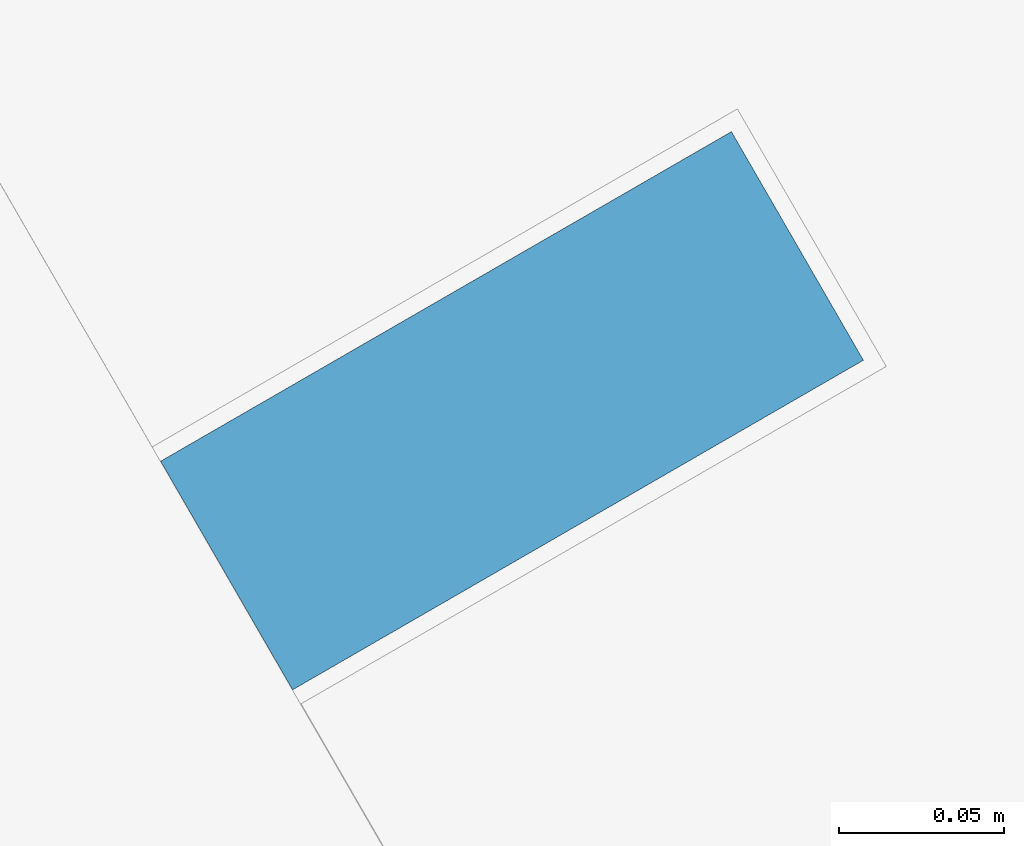
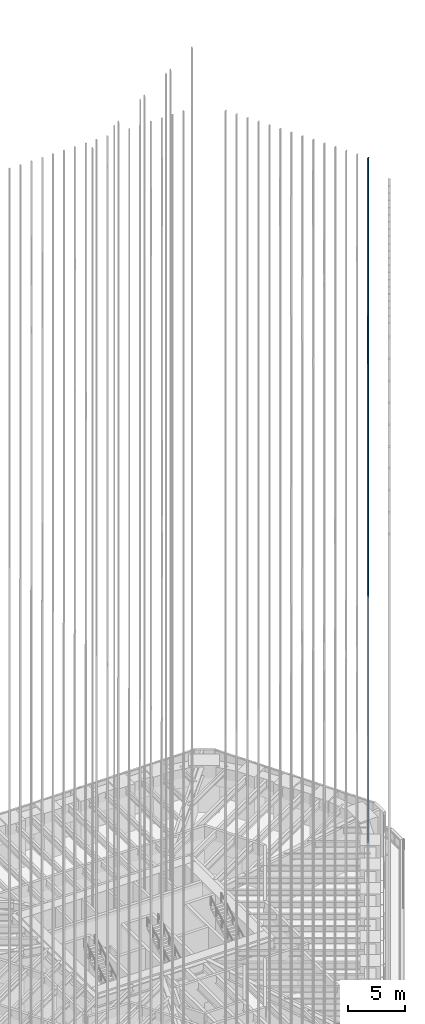
# One storey, part 178 of 228: 1 member, 1 element without a shape of its own.
"""IFC4 building model written with IfcOpenShell, lengths in metres."""

from ifc_helpers import new_model, si_unit, direction, frame, origin, origin_2d, place, context, subcontext, project, spatial, rectangle, extrude, material, material_profile, profile_set, type_object, element, aggregate, save


model = new_model("IFC4")

# Units and contexts
model_context = context("Model", 3, precision=1e-05, world=origin(), true_north=direction((0.0, 1.0)))
body_context = subcontext(model_context, "Body", "Model", "MODEL_VIEW")
ifc_project = project(units=[si_unit("LENGTHUNIT", "METRE"), si_unit("AREAUNIT", "SQUARE_METRE"), si_unit("VOLUMEUNIT", "CUBIC_METRE"), si_unit("PLANEANGLEUNIT", "RADIAN"), si_unit("MASSUNIT", "GRAM", prefix="KILO")], contexts=[model_context])

# Site, building, storey
site_placement = place(None, origin())
site = spatial("IfcSite", under=ifc_project, at=site_placement, CompositionType="ELEMENT")
building_placement = place(site_placement, origin())
building = spatial("IfcBuilding", under=site, at=building_placement, Name="Sandreach Pilgrim Tower", CompositionType="ELEMENT")
storey_placement = place(building_placement, frame((0.0, 0.0, 178.199951171875)))
storey = spatial("IfcBuildingStorey", under=building, at=storey_placement, Name="L44", CompositionType="ELEMENT", Elevation=178.199951171875)

# Curtain wall, member
ifc_material_1 = material(Name="Aluminium framed curtain wall", Category="aluminium")
curtain_wall_type = type_object("IfcCurtainWallType", Name="Upper hotel tower curtain wall", PredefinedType="NOTDEFINED", material=ifc_material_1)
curtain_wall_placement = place(storey_placement, origin())
curtain_wall = element("IfcCurtainWall", 1, at=curtain_wall_placement, inside=storey, type_object=curtain_wall_type, Name="CW-3 L44 NE", PredefinedType="NOTDEFINED")
ifc_material_2 = material(Name="Extruded terracotta on aluminium core", Category="masonry")
ifc_material_profile = material_profile(ifc_material_2, rectangle(XDim=0.080078125, YDim=0.199951171875, at=origin_2d()), Name="TBE 80X200")
ifc_profile_set = profile_set([ifc_material_profile], Name="Extruded terracotta on aluminium core")
member_type = type_object("IfcMemberType", Name="Terracotta baguette east", PredefinedType="USERDEFINED", material=ifc_profile_set)
member_placement = place(storey_placement, frame((26.9267578125, 7.211669921875, 0.0), z_axis=(0.0, 0.0, 1.0), x_axis=(0.5, -0.866025403784, 0.0)))
member = element("IfcMember", 2, at=member_placement, type_object=member_type, Name="Baguette Z3 NE14", ObjectType="BAGUETTE", PredefinedType="USERDEFINED", context=body_context, shape_type="SweptSolid", body=[
    extrude(rectangle(XDim=0.080078125, YDim=0.199951171875, at=origin_2d()), origin(), (0.0, 0.0, 1.0), 73.239990234375),
])
aggregate(curtain_wall, [member])

save(model, "model.ifc")
